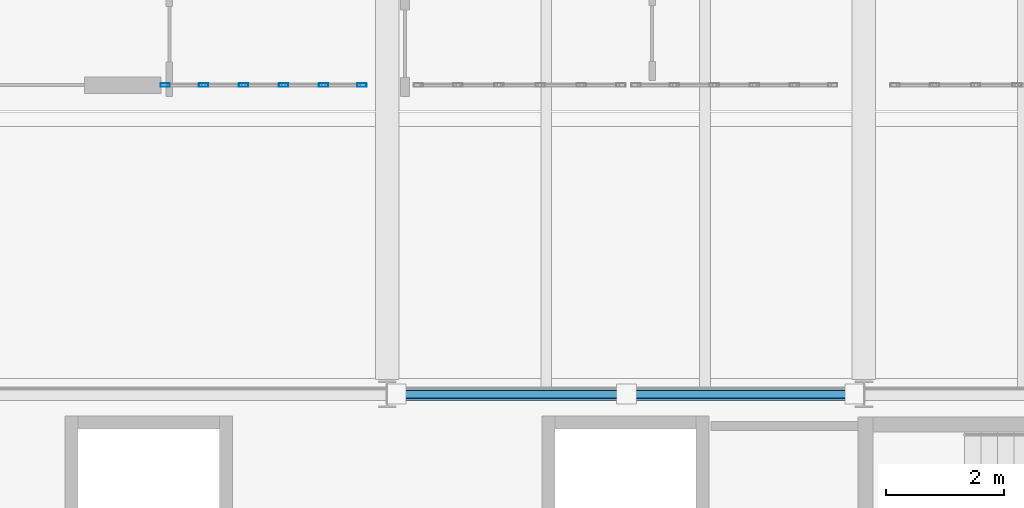
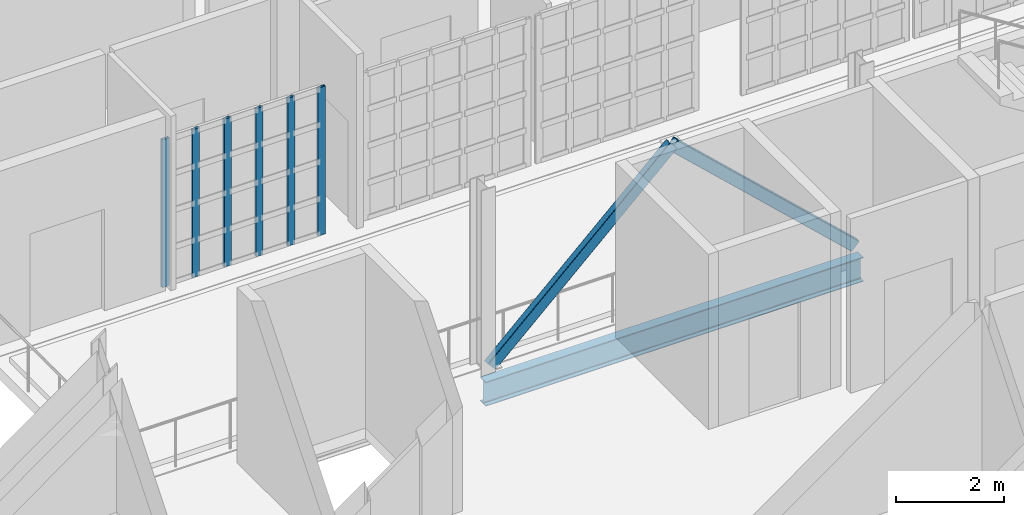
# One storey, part 4 of 25: 8 members, 1 beam, 1 element without a shape of its own.
"""IFC4 building model written with IfcOpenShell, lengths in metres."""

from ifc_helpers import new_model, si_unit, direction, frame, origin, origin_2d, place, context, subcontext, project, spatial, hollow_rectangle, i_section, extrude, material, material_profile, profile_set, type_object, element, aggregate, save


model = new_model("IFC4")

# Units and contexts
model_context = context("Model", 3, precision=1e-05, world=origin(), true_north=direction((0.0, 1.0)))
body_context = subcontext(model_context, "Body", "Model", "MODEL_VIEW")
ifc_project = project(units=[si_unit("LENGTHUNIT", "METRE"), si_unit("AREAUNIT", "SQUARE_METRE"), si_unit("VOLUMEUNIT", "CUBIC_METRE"), si_unit("PLANEANGLEUNIT", "RADIAN"), si_unit("MASSUNIT", "GRAM", prefix="KILO")], contexts=[model_context])

# Site, building, storey
site_placement = place(None, origin())
site = spatial("IfcSite", under=ifc_project, at=site_placement, CompositionType="ELEMENT")
building_placement = place(site_placement, origin())
building = spatial("IfcBuilding", under=site, at=building_placement, Name="Kaelora Sail Theatre", CompositionType="ELEMENT")
storey_placement = place(building_placement, frame((0.0, 0.0, 19.199951171875)))
storey = spatial("IfcBuildingStorey", under=building, at=storey_placement, Name="L04", CompositionType="ELEMENT", Elevation=19.199951171875)

# Curtain wall, members
ifc_material_1 = material(Name="Anodised aluminium and solar-control low-E IGU", Category="aluminium")
curtain_wall_type = type_object("IfcCurtainWallType", Name="ARC-CW-CW-CLR", PredefinedType="NOTDEFINED", material=ifc_material_1)
curtain_wall_placement = place(storey_placement, origin())
curtain_wall = element("IfcCurtainWall", 1, at=curtain_wall_placement, inside=storey, type_object=curtain_wall_type, Name="Glazed Foyer/Conservatory Curtain Wall NW2-S-L04-01", PredefinedType="NOTDEFINED")
ifc_material_2 = material(Name="Anodised aluminium 6063-T6", Category="aluminium")
ifc_material_profile_1 = material_profile(ifc_material_2, hollow_rectangle(XDim=0.06005859375, YDim=0.159912109375, WallThickness=0.00390625, InnerFilletRadius=0.00390625, OuterFilletRadius=0.008056640625, at=origin_2d()), Name="ALU-MULL 60x160x4")
ifc_profile_set_1 = profile_set([ifc_material_profile_1], Name="Anodised aluminium 6063-T6")
member_type_1 = type_object("IfcMemberType", Name="ARC-MEM-ML-160", PredefinedType="MULLION", material=ifc_profile_set_1)
member_1_placement = place(storey_placement, frame((38.22998046875, 88.590087890625, 0.0), z_axis=(0.0, 0.0, 1.0), x_axis=(0.0, 1.0, 0.0)))
member_1 = element("IfcMember", 2, at=member_1_placement, type_object=member_type_1, Name="CW-CLR mullion 1", PredefinedType="MULLION", context=body_context, shape_type="SweptSolid", body=[
    extrude(hollow_rectangle(XDim=0.06005859375, YDim=0.159912109375, WallThickness=0.00390625, InnerFilletRadius=0.00390625, OuterFilletRadius=0.008056640625, at=origin_2d()), origin(), (0.0, 0.0, 1.0), 3.34716796875),
])
member_2_placement = place(storey_placement, frame((38.8798828125, 88.590087890625, 0.0), z_axis=(0.0, 0.0, 1.0), x_axis=(0.0, 1.0, 0.0)))
member_2 = element("IfcMember", 3, at=member_2_placement, type_object=member_type_1, Name="CW-CLR mullion 2", PredefinedType="MULLION", context=body_context, shape_type="SweptSolid", body=[
    extrude(hollow_rectangle(XDim=0.06005859375, YDim=0.159912109375, WallThickness=0.00390625, InnerFilletRadius=0.00390625, OuterFilletRadius=0.008056640625, at=origin_2d()), origin(), (0.0, 0.0, 1.0), 3.34716796875),
])
member_3_placement = place(storey_placement, frame((39.56005859375, 88.590087890625, 0.0), z_axis=(0.0, 0.0, 1.0), x_axis=(0.0, 1.0, 0.0)))
member_3 = element("IfcMember", 4, at=member_3_placement, type_object=member_type_1, Name="CW-CLR mullion 3", PredefinedType="MULLION", context=body_context, shape_type="SweptSolid", body=[
    extrude(hollow_rectangle(XDim=0.06005859375, YDim=0.159912109375, WallThickness=0.00390625, InnerFilletRadius=0.00390625, OuterFilletRadius=0.008056640625, at=origin_2d()), origin(), (0.0, 0.0, 1.0), 3.34716796875),
])
member_4_placement = place(storey_placement, frame((40.239990234375, 88.590087890625, 0.0), z_axis=(0.0, 0.0, 1.0), x_axis=(0.0, 1.0, 0.0)))
member_4 = element("IfcMember", 5, at=member_4_placement, type_object=member_type_1, Name="CW-CLR mullion 4", PredefinedType="MULLION", context=body_context, shape_type="SweptSolid", body=[
    extrude(hollow_rectangle(XDim=0.06005859375, YDim=0.159912109375, WallThickness=0.00390625, InnerFilletRadius=0.00390625, OuterFilletRadius=0.008056640625, at=origin_2d()), origin(), (0.0, 0.0, 1.0), 3.34716796875),
])
member_5_placement = place(storey_placement, frame((40.919921875, 88.590087890625, 0.0), z_axis=(0.0, 0.0, 1.0), x_axis=(0.0, 1.0, 0.0)))
member_5 = element("IfcMember", 6, at=member_5_placement, type_object=member_type_1, Name="CW-CLR mullion 5", PredefinedType="MULLION", context=body_context, shape_type="SweptSolid", body=[
    extrude(hollow_rectangle(XDim=0.06005859375, YDim=0.159912109375, WallThickness=0.00390625, InnerFilletRadius=0.00390625, OuterFilletRadius=0.008056640625, at=origin_2d()), origin(), (0.0, 0.0, 1.0), 3.34716796875),
])
member_6_placement = place(storey_placement, frame((41.570068359375, 88.590087890625, 0.0), z_axis=(0.0, 0.0, 1.0), x_axis=(0.0, 1.0, 0.0)))
member_6 = element("IfcMember", 7, at=member_6_placement, type_object=member_type_1, Name="CW-CLR mullion 6", PredefinedType="MULLION", context=body_context, shape_type="SweptSolid", body=[
    extrude(hollow_rectangle(XDim=0.06005859375, YDim=0.159912109375, WallThickness=0.00390625, InnerFilletRadius=0.00390625, OuterFilletRadius=0.008056640625, at=origin_2d()), origin(), (0.0, 0.0, 1.0), 3.34716796875),
])
aggregate(curtain_wall, [member_1, member_2, member_3, member_4, member_5, member_6])

# Beam
ifc_material_3 = material(Name="Steel S355", Category="steel")
ifc_material_profile_2 = material_profile(ifc_material_3, i_section(OverallWidth=0.2099609375, OverallDepth=0.550048828125, WebThickness=0.010986328125, FlangeThickness=0.01708984375, FilletRadius=0.02392578125, at=origin_2d()), Name="IPE 550")
ifc_profile_set_2 = profile_set([ifc_material_profile_2], Name="Steel S355")
beam_type = type_object("IfcBeamType", Name="STR-BM-BM-IPE550", PredefinedType="USERDEFINED", material=ifc_profile_set_2)
beam_placement = place(storey_placement, frame((42.009033203125, 83.340087890625, -0.530029296875), z_axis=(1.0, 0.0, 0.0), x_axis=(0.0, 1.0, 0.0)))
element("IfcBeam", 8, at=beam_placement, inside=storey, type_object=beam_type, Name="Primary beam L 6-7 (L04)", ObjectType="GIRDER", PredefinedType="USERDEFINED", context=body_context, shape_type="SweptSolid", body=[
    extrude(i_section(OverallWidth=0.2099609375, OverallDepth=0.550048828125, WebThickness=0.010986328125, FlangeThickness=0.01708984375, FilletRadius=0.02392578125, at=origin_2d()), origin(), (0.0, 0.0, 1.0), 8.08203125),
])

# Members
ifc_material_4 = material(Name="Steel S355", Category="steel")
ifc_material_profile_3 = material_profile(ifc_material_4, hollow_rectangle(XDim=0.14990234375, YDim=0.25, WallThickness=0.010009765625, InnerFilletRadius=0.010009765625, OuterFilletRadius=0.02001953125, at=origin_2d()), Name="RHS 250x150x10.0")
ifc_profile_set_3 = profile_set([ifc_material_profile_3], Name="Steel S355")
member_type_2 = type_object("IfcMemberType", Name="STR-MEM-BR-RHS250", PredefinedType="BRACE", material=ifc_profile_set_3)
member_7_placement = place(storey_placement, frame((42.159912109375, 83.340087890625, 0.02001953125), z_axis=(0.729722839105, 0.0, 0.68374306438), x_axis=(0.0, 1.0, 0.0)))
element("IfcMember", 9, at=member_7_placement, inside=storey, type_object=member_type_2, Name="Fly Tower north chevron brace L04 N3-1", PredefinedType="BRACE", context=body_context, shape_type="SweptSolid", body=[
    extrude(hollow_rectangle(XDim=0.14990234375, YDim=0.25, WallThickness=0.010009765625, InnerFilletRadius=0.010009765625, OuterFilletRadius=0.02001953125, at=origin_2d()), origin(), (0.0, 0.0, 1.0), 5.3310546875),
])
member_8_placement = place(storey_placement, frame((49.93994140625, 83.340087890625, 0.02001953125), z_axis=(-0.729701427917, 0.0, 0.683765914693), x_axis=(0.0, -1.0, 0.0)))
element("IfcMember", 10, at=member_8_placement, inside=storey, type_object=member_type_2, Name="Fly Tower north chevron brace L04 N3-2", PredefinedType="BRACE", context=body_context, shape_type="SweptSolid", body=[
    extrude(hollow_rectangle(XDim=0.14990234375, YDim=0.25, WallThickness=0.010009765625, InnerFilletRadius=0.010009765625, OuterFilletRadius=0.02001953125, at=origin_2d()), origin(), (0.0, 0.0, 1.0), 5.330810546875),
])

save(model, "model.ifc")
